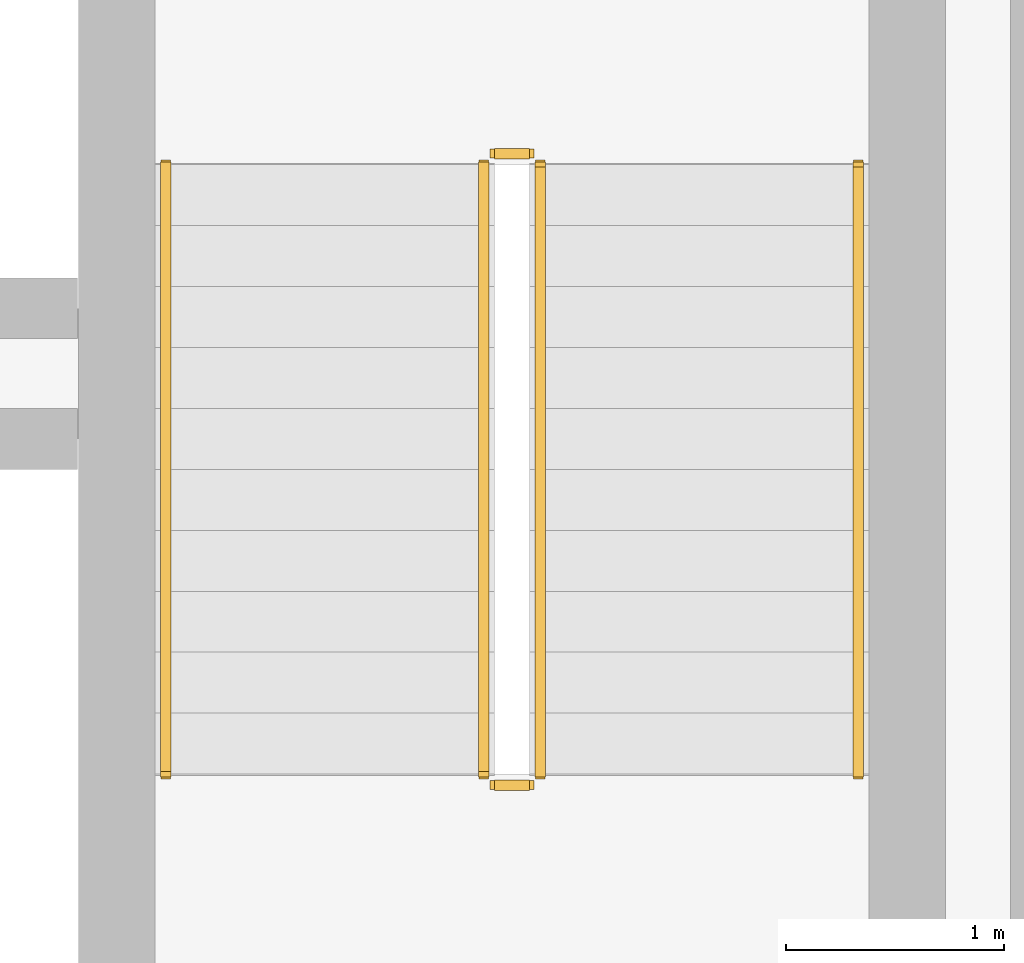
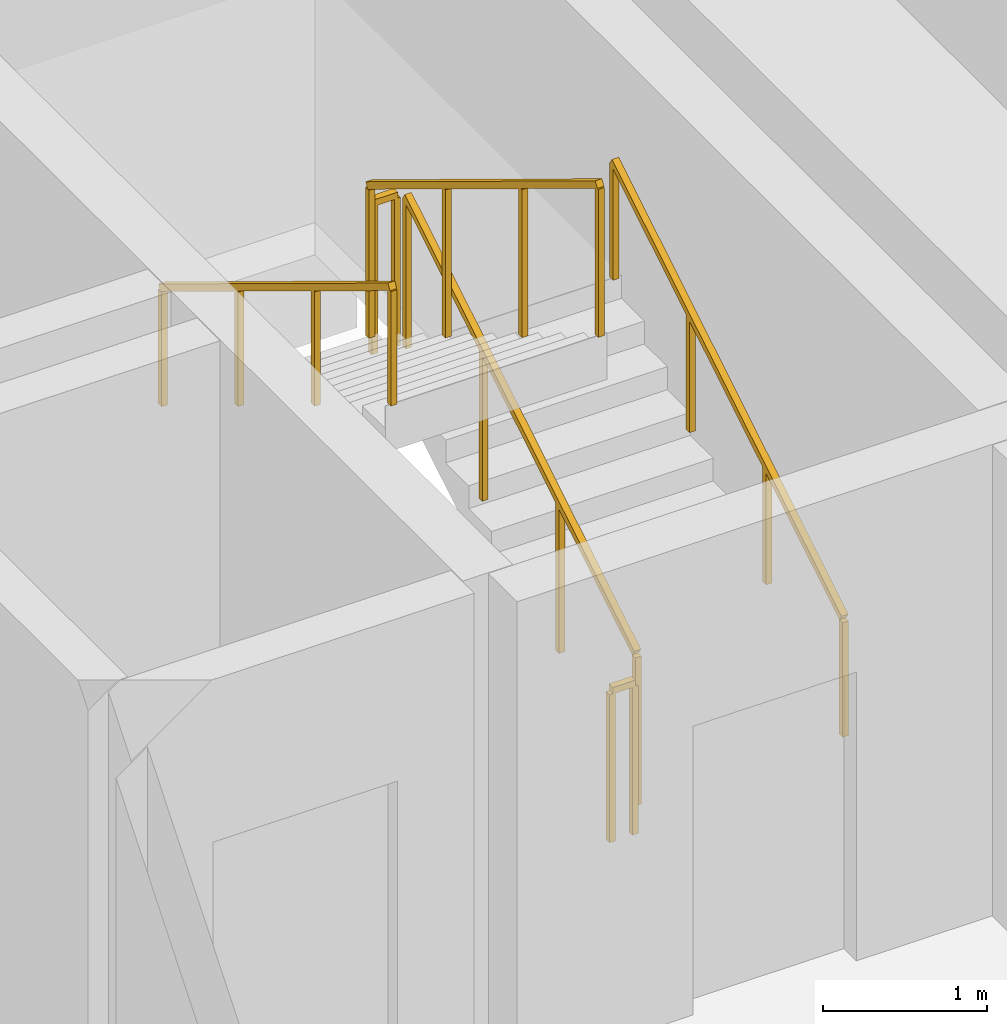
# One storey, part 15 of 15: 6 railings.
"""IFC4 building model written with IfcOpenShell, lengths in metres."""

from ifc_helpers import new_model, si_unit, direction, frame, origin, origin_2d, place, context, subcontext, project, spatial, rectangle, extrude, material, type_object, element, save


model = new_model("IFC4")

# Units and contexts
model_context = context("Model", 3, precision=1e-05, world=origin(), true_north=direction((0.0, 1.0)))
body_context = subcontext(model_context, "Body", "Model", "MODEL_VIEW")
ifc_project = project(units=[si_unit("LENGTHUNIT", "METRE"), si_unit("AREAUNIT", "SQUARE_METRE"), si_unit("VOLUMEUNIT", "CUBIC_METRE"), si_unit("PLANEANGLEUNIT", "RADIAN"), si_unit("MASSUNIT", "GRAM", prefix="KILO")], contexts=[model_context])

# Site, building, storey
site_placement = place(None, origin())
site = spatial("IfcSite", under=ifc_project, at=site_placement, CompositionType="ELEMENT")
building_placement = place(site_placement, origin())
building = spatial("IfcBuilding", under=site, at=building_placement, Name="Kaelvorn Grand Hotel", CompositionType="ELEMENT")
storey_placement = place(building_placement, frame((0.0, 0.0, 61.39990234375)))
storey = spatial("IfcBuildingStorey", under=building, at=storey_placement, Name="L13", CompositionType="ELEMENT", Elevation=61.39990234375)

# Railings
ifc_material = material(Name="Stainless Steel", Category="steel")
railing_type_1 = type_object("IfcRailingType", Name="RL-HANDRAIL-900", PredefinedType="HANDRAIL", material=ifc_material)
railing_1_placement = place(storey_placement, frame((66.550048828125, 41.760009765625, 0.170654296875)))
element("IfcRailing", 1, at=railing_1_placement, inside=storey, type_object=railing_type_1, Name="L13 ST3 stair handrail 1", PredefinedType="HANDRAIL", context=body_context, shape_type="SweptSolid", body=[
    extrude(rectangle(XDim=0.048095703125, YDim=0.048095703125, at=origin_2d()), frame((0.0, 0.0, 0.8759765625), z_axis=(0.0, 0.854202870247, 0.519939858505), x_axis=(-1.0, 0.0, 0.0)), (0.0, 0.0, 1.0), 3.278076171875),
    extrude(rectangle(XDim=0.0419921875, YDim=0.0419921875, at=origin_2d()), origin(), (0.0, 0.0, 1.0), 0.851806640625),
    extrude(rectangle(XDim=0.0419921875, YDim=0.0419921875, at=origin_2d()), frame((0.0, 0.933349609375, 0.568115234375)), (0.0, 0.0, 1.0), 0.851806640625),
    extrude(rectangle(XDim=0.0419921875, YDim=0.0419921875, at=origin_2d()), frame((0.0, 1.86669921875, 1.13623046875)), (0.0, 0.0, 1.0), 0.851806640625),
    extrude(rectangle(XDim=0.0419921875, YDim=0.0419921875, at=origin_2d()), frame((0.0, 2.800048828125, 1.704345703125)), (0.0, 0.0, 1.0), 0.851806640625),
])
railing_2_placement = place(storey_placement, frame((63.3701171875, 44.56005859375, 2.045654296875)))
element("IfcRailing", 2, at=railing_2_placement, inside=storey, type_object=railing_type_1, Name="L13 ST3 stair handrail 2", PredefinedType="HANDRAIL", context=body_context, shape_type="SweptSolid", body=[
    extrude(rectangle(XDim=0.048095703125, YDim=0.048095703125, at=origin_2d()), frame((0.0, 0.0, 0.8759765625), z_axis=(0.0, -0.854202870247, 0.519939858505), x_axis=(1.0, 0.0, 0.0)), (0.0, 0.0, 1.0), 3.278076171875),
    extrude(rectangle(XDim=0.0419921875, YDim=0.0419921875, at=origin_2d()), origin(), (0.0, 0.0, 1.0), 0.851806640625),
    extrude(rectangle(XDim=0.0419921875, YDim=0.0419921875, at=origin_2d()), frame((0.0, -0.933349609375, 0.568115234375)), (0.0, 0.0, 1.0), 0.851806640625),
    extrude(rectangle(XDim=0.0419921875, YDim=0.0419921875, at=origin_2d()), frame((0.0, -1.86669921875, 1.13623046875)), (0.0, 0.0, 1.0), 0.851806640625),
    extrude(rectangle(XDim=0.0419921875, YDim=0.0419921875, at=origin_2d()), frame((0.0, -2.800048828125, 1.704345703125)), (0.0, 0.0, 1.0), 0.851806640625),
])
railing_type_2 = type_object("IfcRailingType", Name="RL-STAIR-GUARD-1150", PredefinedType="BALUSTRADE", material=ifc_material)
railing_3_placement = place(storey_placement, frame((65.090087890625, 41.760009765625, 0.170654296875)))
element("IfcRailing", 3, at=railing_3_placement, inside=storey, type_object=railing_type_2, Name="L13 ST3 stair guard 1", PredefinedType="BALUSTRADE", context=body_context, shape_type="SweptSolid", body=[
    extrude(rectangle(XDim=0.048095703125, YDim=0.048095703125, at=origin_2d()), frame((0.0, 0.0, 1.1259765625), z_axis=(0.0, 0.854202870247, 0.519939858505), x_axis=(-1.0, 0.0, 0.0)), (0.0, 0.0, 1.0), 3.278076171875),
    extrude(rectangle(XDim=0.0419921875, YDim=0.0419921875, at=origin_2d()), origin(), (0.0, 0.0, 1.0), 1.101806640625),
    extrude(rectangle(XDim=0.0419921875, YDim=0.0419921875, at=origin_2d()), frame((0.0, 0.933349609375, 0.568115234375)), (0.0, 0.0, 1.0), 1.101806640625),
    extrude(rectangle(XDim=0.0419921875, YDim=0.0419921875, at=origin_2d()), frame((0.0, 1.86669921875, 1.13623046875)), (0.0, 0.0, 1.0), 1.101806640625),
    extrude(rectangle(XDim=0.0419921875, YDim=0.0419921875, at=origin_2d()), frame((0.0, 2.800048828125, 1.704345703125)), (0.0, 0.0, 1.0), 1.101806640625),
])
railing_4_placement = place(storey_placement, frame((65.0400390625, 44.610107421875, 1.875)))
element("IfcRailing", 4, at=railing_4_placement, inside=storey, type_object=railing_type_2, Name="L13 ST3 stair guard 2", PredefinedType="BALUSTRADE", context=body_context, shape_type="SweptSolid", body=[
    extrude(rectangle(XDim=0.048095703125, YDim=0.048095703125, at=origin_2d()), frame((0.0, 0.0, 1.1259765625), z_axis=(-1.0, 0.0, 0.0), x_axis=(0.0, -1.0, 0.0)), (0.0, 0.0, 1.0), 0.16015625),
    extrude(rectangle(XDim=0.0419921875, YDim=0.0419921875, at=origin_2d()), origin(), (0.0, 0.0, 1.0), 1.101806640625),
    extrude(rectangle(XDim=0.0419921875, YDim=0.0419921875, at=origin_2d()), frame((-0.16015625, 0.0, 0.0)), (0.0, 0.0, 1.0), 1.101806640625),
])
railing_5_placement = place(storey_placement, frame((64.830078125, 44.56005859375, 2.045654296875)))
element("IfcRailing", 5, at=railing_5_placement, inside=storey, type_object=railing_type_2, Name="L13 ST3 stair guard 3", PredefinedType="BALUSTRADE", context=body_context, shape_type="SweptSolid", body=[
    extrude(rectangle(XDim=0.048095703125, YDim=0.048095703125, at=origin_2d()), frame((0.0, 0.0, 1.1259765625), z_axis=(0.0, -0.854202870247, 0.519939858505), x_axis=(1.0, 0.0, 0.0)), (0.0, 0.0, 1.0), 3.278076171875),
    extrude(rectangle(XDim=0.0419921875, YDim=0.0419921875, at=origin_2d()), origin(), (0.0, 0.0, 1.0), 1.101806640625),
    extrude(rectangle(XDim=0.0419921875, YDim=0.0419921875, at=origin_2d()), frame((0.0, -0.933349609375, 0.568115234375)), (0.0, 0.0, 1.0), 1.101806640625),
    extrude(rectangle(XDim=0.0419921875, YDim=0.0419921875, at=origin_2d()), frame((0.0, -1.86669921875, 1.13623046875)), (0.0, 0.0, 1.0), 1.101806640625),
    extrude(rectangle(XDim=0.0419921875, YDim=0.0419921875, at=origin_2d()), frame((0.0, -2.800048828125, 1.704345703125)), (0.0, 0.0, 1.0), 1.101806640625),
])
railing_6_placement = place(storey_placement, frame((65.0400390625, 41.7099609375, 0.0)))
element("IfcRailing", 6, at=railing_6_placement, inside=storey, type_object=railing_type_2, Name="L13 ST3 stair guard 4", PredefinedType="BALUSTRADE", context=body_context, shape_type="SweptSolid", body=[
    extrude(rectangle(XDim=0.048095703125, YDim=0.048095703125, at=origin_2d()), frame((0.0, 0.0, 1.1259765625), z_axis=(-1.0, 0.0, 0.0), x_axis=(0.0, -1.0, 0.0)), (0.0, 0.0, 1.0), 0.16015625),
    extrude(rectangle(XDim=0.0419921875, YDim=0.0419921875, at=origin_2d()), origin(), (0.0, 0.0, 1.0), 1.101806640625),
    extrude(rectangle(XDim=0.0419921875, YDim=0.0419921875, at=origin_2d()), frame((-0.16015625, 0.0, 0.0)), (0.0, 0.0, 1.0), 1.101806640625),
])

save(model, "model.ifc")
